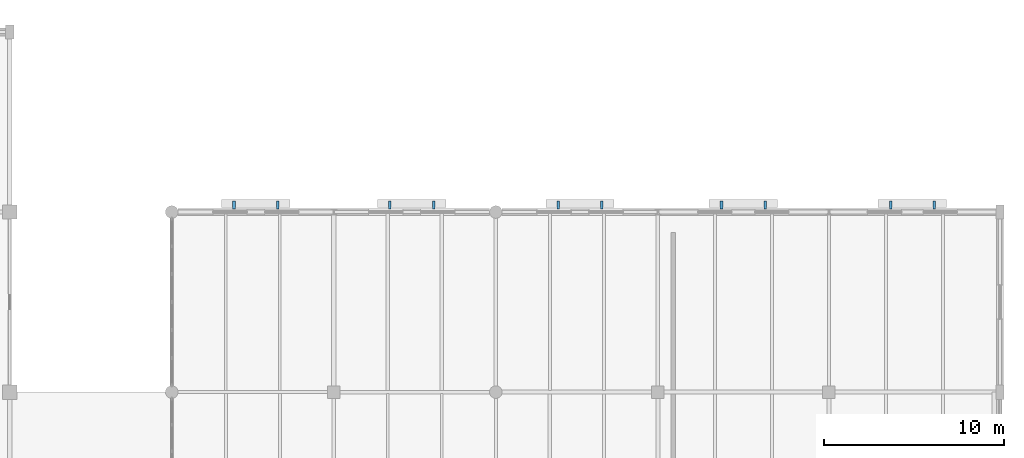
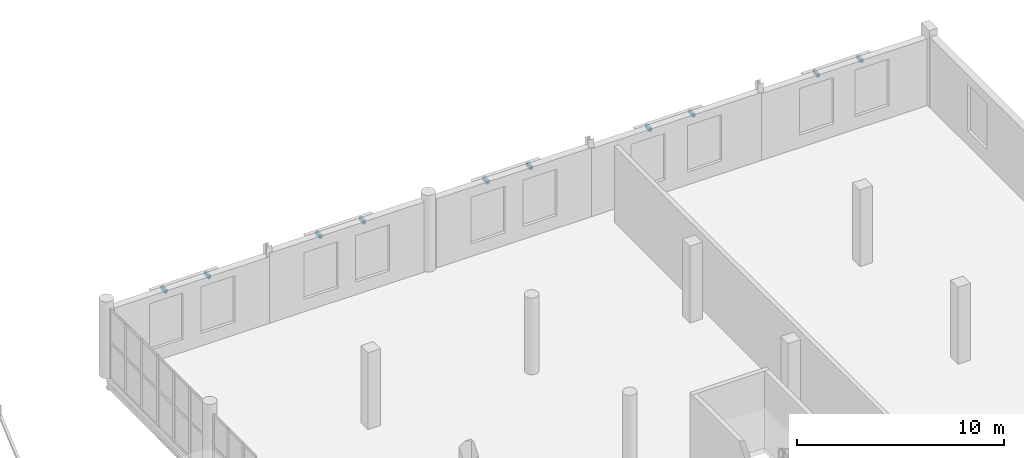
# One storey, part 81 of 93: 10 discrete accessories.
"""IFC4 building model written with IfcOpenShell, lengths in metres."""

from ifc_helpers import new_model, si_unit, direction, frame, origin, origin_2d, place, context, subcontext, project, spatial, rectangle, extrude, material, type_object, element, save


model = new_model("IFC4")

# Units and contexts
model_context = context("Model", 3, precision=1e-05, world=origin(), true_north=direction((0.0, 1.0)))
body_context = subcontext(model_context, "Body", "Model", "MODEL_VIEW")
ifc_project = project(units=[si_unit("LENGTHUNIT", "METRE"), si_unit("AREAUNIT", "SQUARE_METRE"), si_unit("VOLUMEUNIT", "CUBIC_METRE"), si_unit("PLANEANGLEUNIT", "RADIAN"), si_unit("MASSUNIT", "GRAM", prefix="KILO")], contexts=[model_context])

# Site, building, storey
site_placement = place(None, origin())
site = spatial("IfcSite", under=ifc_project, at=site_placement, CompositionType="ELEMENT")
building_placement = place(site_placement, origin())
building = spatial("IfcBuilding", under=site, at=building_placement, Name="Marnock Terrace Opera House", CompositionType="ELEMENT")
storey_placement = place(building_placement, frame((0.0, 0.0, 5.39990234375)))
storey = spatial("IfcBuildingStorey", under=building, at=storey_placement, Name="L01", CompositionType="ELEMENT", Elevation=5.39990234375)

# Discrete accessories
ifc_material = material(Name="Galvanised architectural steel framing", Category="steel")
discrete_accessory_type = type_object("IfcDiscreteAccessoryType", Name="ACC-BRACKET-450", PredefinedType="BRACKET", material=ifc_material)
for number, where, z_axis, x_axis, name in (
    (1, (121.45703125, 104.39990234375, 3.48828125), (0.0, 0.0, 1.0), (1.0, 0.0, 0.0), "Brise-soleil support bracket EW-V5N-L01-1.A"),
    (2, (123.888916015625, 104.39990234375, 3.48828125), (0.0, 0.0, 1.0), (1.0, 0.0, 0.0), "Brise-soleil support bracket EW-V5N-L01-1.B"),
    (3, (130.111083984375, 104.39990234375, 3.69775390625), (0.0, 0.0, 1.0), (1.0, 0.0, 0.0), "Brise-soleil support bracket EW-V5N-L01-2.A"),
    (4, (132.54296875, 104.39990234375, 3.69775390625), (0.0, 0.0, 1.0), (1.0, 0.0, 0.0), "Brise-soleil support bracket EW-V5N-L01-2.B"),
    (5, (139.45703125, 104.39990234375, 3.6396484375), (0.0, 0.0, 1.0), (1.0, 0.0, 0.0), "Brise-soleil support bracket EW-V5N-L01-3.A"),
    (6, (141.888916015625, 104.39990234375, 3.6396484375), (0.0, 0.0, 1.0), (1.0, 0.0, 0.0), "Brise-soleil support bracket EW-V5N-L01-3.B"),
    (7, (148.533935546875, 104.39990234375, 3.56689453125), (0.0, 0.0, 1.0), (1.0, 0.0, 0.0), "Brise-soleil support bracket EW-V5N-L01-4.A"),
    (8, (150.966064453125, 104.39990234375, 3.56689453125), (0.0, 0.0, 1.0), (1.0, 0.0, 0.0), "Brise-soleil support bracket EW-V5N-L01-4.B"),
    (9, (157.923583984375, 104.39990234375, 3.4931640625), (0.0, 0.0, 1.0), (1.0, 0.0, 0.0), "Brise-soleil support bracket EW-V5N-L01-5.A"),
    (10, (160.35546875, 104.39990234375, 3.4931640625), (0.0, 0.0, 1.0), (1.0, 0.0, 0.0), "Brise-soleil support bracket EW-V5N-L01-5.B"),
):
    element("IfcDiscreteAccessory", number, at=place(storey_placement, frame(where, z_axis=z_axis, x_axis=x_axis)), inside=storey, type_object=discrete_accessory_type, Name=name, PredefinedType="BRACKET", context=body_context, shape_type="SweptSolid", body=[
        extrude(rectangle(XDim=0.139892578125, YDim=0.449951171875, at=origin_2d()), origin(), (0.0, 0.0, 1.0), 0.199951171875),
    ])

save(model, "model.ifc")
